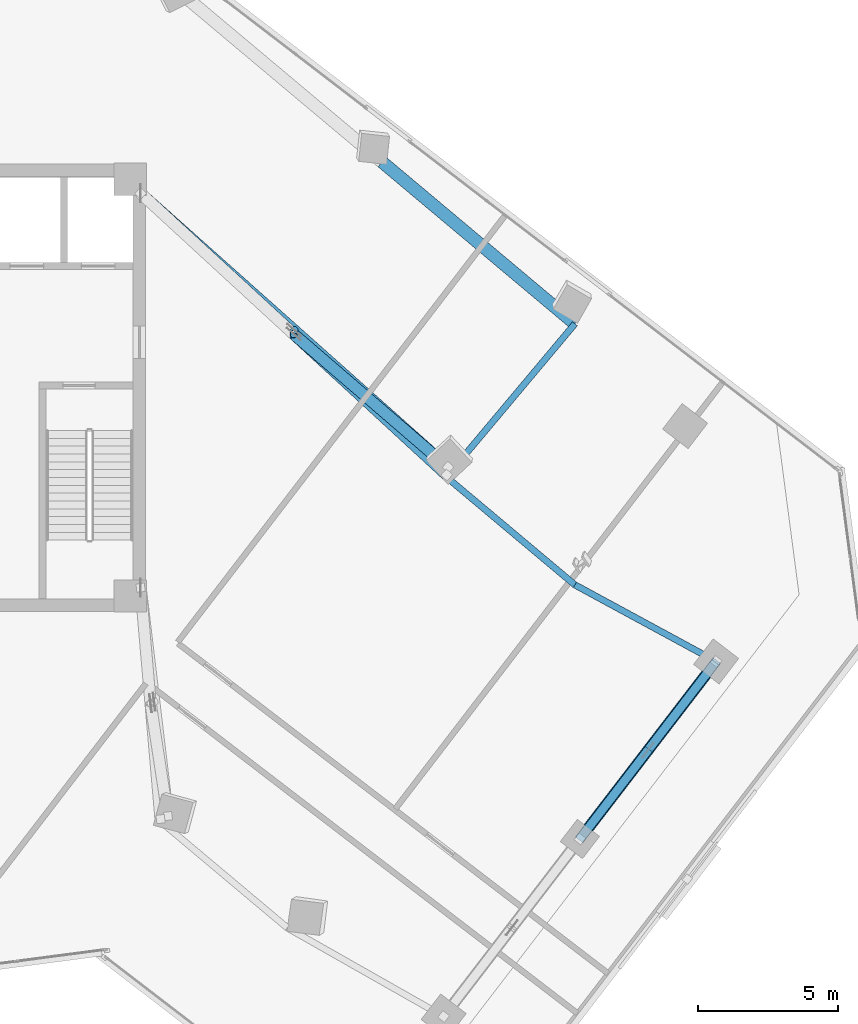
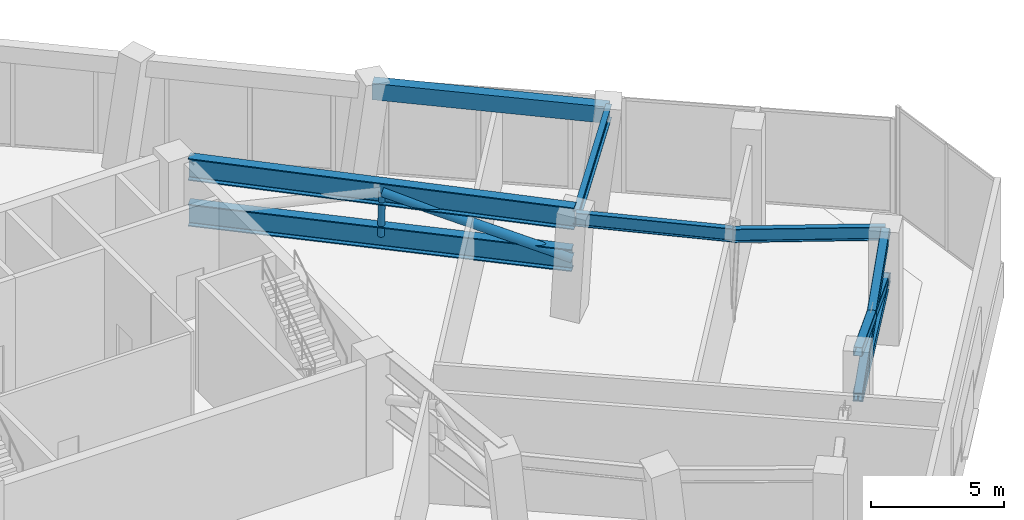
# One storey, part 8 of 22: 8 members, 4 beams.
"""IFC4 building model written with IfcOpenShell, lengths in metres."""

import ifcopenshell
import ifcopenshell.guid

model = None  # the IFC model being written
_history = None  # IfcOwnerHistory: only IFC2X3 demands one
_inside = {}  # id of a spatial element -> (the spatial element, [elements in it])
_under = {}  # id of a project, library or spatial element -> (it, [spatial elements below it])
_declared = {}  # id of a project -> (the project, [libraries it declares])
_typed = {}  # id of a type object -> (the type object, [elements of that type])
_made_of = {}  # id of a material, layer set ... -> (it, [elements and type objects made of it])


def new_model(schema):
    """Start an empty IFC model of exactly this schema.

    Asked for "IFC4X3", IfcOpenShell would pick the latest addendum, in which some entities
    have other attributes; the version numbers below select the first issue.
    IFC2X3 requires an IfcOwnerHistory on every rooted entity: one is made here for all.
    """
    global model, _history
    if schema == "IFC4X3":
        model = ifcopenshell.file(schema_version=(4, 3, 0, 0))
    else:
        model = ifcopenshell.file(schema=schema)
    _inside.clear()
    _under.clear()
    _declared.clear()
    _typed.clear()
    _made_of.clear()
    _history = None
    if model.schema == "IFC2X3":
        org = make("IfcOrganization", Name="unknown")
        user = make(
            "IfcPersonAndOrganization",
            ThePerson=make("IfcPerson", FamilyName="unknown"),
            TheOrganization=org,
        )
        app = make(
            "IfcApplication",
            ApplicationDeveloper=org,
            Version="unknown",
            ApplicationFullName="unknown",
            ApplicationIdentifier="unknown",
        )
        _history = make(
            "IfcOwnerHistory",
            OwningUser=user,
            OwningApplication=app,
            ChangeAction="ADDED",
            CreationDate=0,
        )
    return model


def make(cls, **values):
    """One entity of the class cls with the attributes given. An attribute that is None is left unset."""
    return model.create_entity(
        cls, **{name: value for name, value in values.items() if value is not None}
    )


def rooted(cls, **values):
    """An entity with a GlobalId (a new one), such as an element, a storey or a relation."""
    return make(cls, GlobalId=ifcopenshell.guid.new(), OwnerHistory=_history, **values)


def si_unit(unit_type, name, prefix=None):
    """IfcSIUnit, for example si_unit("LENGTHUNIT", "METRE", prefix="MILLI")."""
    return make("IfcSIUnit", UnitType=unit_type, Prefix=prefix, Name=name)


def assignment(units):
    """IfcUnitAssignment: the units of a project."""
    return None if units is None else make("IfcUnitAssignment", Units=units)


def point(xyz):
    """IfcCartesianPoint."""
    return None if xyz is None else make("IfcCartesianPoint", Coordinates=xyz)


def direction(xyz):
    """IfcDirection."""
    return None if xyz is None else make("IfcDirection", DirectionRatios=xyz)


def frame(location, z_axis=None, x_axis=None):
    """IfcAxis2Placement3D, a coordinate frame: its origin and axes. An axis left out is left unset."""
    return make(
        "IfcAxis2Placement3D",
        Location=point(location),
        Axis=direction(z_axis),
        RefDirection=direction(x_axis),
    )


def frame_2d(location, x_axis=None):
    """IfcAxis2Placement2D, a coordinate frame in the plane: its origin and x axis."""
    return make(
        "IfcAxis2Placement2D", Location=point(location), RefDirection=direction(x_axis)
    )


def origin():
    """The frame at (0, 0, 0) with its axes left unset."""
    return frame((0.0, 0.0, 0.0))


def origin_2d():
    """The frame at (0, 0) in the plane with its x axis left unset."""
    return frame_2d((0.0, 0.0))


def place(relative_to, where):
    """IfcLocalPlacement: puts the frame where relative to a parent placement (None: the world)."""
    return make(
        "IfcLocalPlacement", PlacementRelTo=relative_to, RelativePlacement=where
    )


def context(
    kind, dimensions, precision=None, world=None, true_north=None, identifier=None
):
    """IfcGeometricRepresentationContext, for example the 3D "Model" context."""
    return make(
        "IfcGeometricRepresentationContext",
        ContextIdentifier=identifier,
        ContextType=kind,
        CoordinateSpaceDimension=dimensions,
        Precision=precision,
        WorldCoordinateSystem=world,
        TrueNorth=true_north,
    )


def subcontext(parent, identifier, kind, view, scale=None):
    """IfcGeometricRepresentationSubContext, for example "Body" below "Model"."""
    return make(
        "IfcGeometricRepresentationSubContext",
        ContextIdentifier=identifier,
        ContextType=kind,
        ParentContext=parent,
        TargetScale=scale,
        TargetView=view,
    )


def project(units=None, contexts=None):
    """IfcProject with its units and contexts."""
    return rooted(
        "IfcProject",
        Name="project",
        RepresentationContexts=contexts,
        UnitsInContext=assignment(units),
    )


def spatial(cls, under=None, at=None, **own):
    """A site, building, storey or space (cls), placed at a placement, below another one or the project."""
    s = rooted(cls, ObjectPlacement=at, **own)
    if under is not None:
        _under.setdefault(under.id(), (under, []))[1].append(s)
    return s


def profile(cls, at=None, kind="AREA", **sizes):
    """A parametric profile (cls). Its sizes go by their IFC names, for example OverallWidth=200.0."""
    return make(cls, ProfileType=kind, Position=at, **sizes)


def rectangle(**sizes):
    """IfcRectangleProfileDef."""
    return profile("IfcRectangleProfileDef", **sizes)


def hollow_rectangle(**sizes):
    """IfcRectangleHollowProfileDef."""
    return profile("IfcRectangleHollowProfileDef", **sizes)


def hollow_circle(**sizes):
    """IfcCircleHollowProfileDef."""
    return profile("IfcCircleHollowProfileDef", **sizes)


def i_section(**sizes):
    """IfcIShapeProfileDef."""
    return profile("IfcIShapeProfileDef", **sizes)


def extrude(swept, where, along, depth):
    """IfcExtrudedAreaSolid: the profile swept, set in the frame where, extruded along a direction by depth."""
    return make(
        "IfcExtrudedAreaSolid",
        SweptArea=swept,
        Position=where,
        ExtrudedDirection=direction(along),
        Depth=depth,
    )


def shape(context_of_items, identifier, shape_type, items):
    """IfcShapeRepresentation: the items that make up one representation, for example the "Body"."""
    return make(
        "IfcShapeRepresentation",
        ContextOfItems=context_of_items,
        RepresentationIdentifier=identifier,
        RepresentationType=shape_type,
        Items=items,
    )


def source(mapping_origin, context_of_items, identifier, shape_type, items):
    """IfcRepresentationMap: a shape defined once, which mapped items show again and again."""
    return make(
        "IfcRepresentationMap",
        MappingOrigin=mapping_origin,
        MappedRepresentation=shape(context_of_items, identifier, shape_type, items),
    )


def transform(
    local_origin,
    x_axis=None,
    y_axis=None,
    z_axis=None,
    scale=None,
    scale2=None,
    scale3=None,
    uniform=True,
):
    """IfcCartesianTransformationOperator3D, or its non-uniform kind. x_axis, y_axis, z_axis: its Axis1, 2, 3."""
    if uniform:
        return make(
            "IfcCartesianTransformationOperator3D",
            Axis1=direction(x_axis),
            Axis2=direction(y_axis),
            LocalOrigin=point(local_origin),
            Scale=scale,
            Axis3=direction(z_axis),
        )
    return make(
        "IfcCartesianTransformationOperator3DnonUniform",
        Axis1=direction(x_axis),
        Axis2=direction(y_axis),
        LocalOrigin=point(local_origin),
        Scale=scale,
        Axis3=direction(z_axis),
        Scale2=scale2,
        Scale3=scale3,
    )


def mapped(mapping_source, mapping_target):
    """IfcMappedItem: shows the shape of a source again, moved by a transform."""
    return make(
        "IfcMappedItem", MappingSource=mapping_source, MappingTarget=mapping_target
    )


def material(Name=None, Category=None):
    """IfcMaterial."""
    return make("IfcMaterial", Name=Name, Category=Category)


def material_profile(
    of_material, cross_section, Name=None, Category=None, Priority=None
):
    """IfcMaterialProfile: a cross section and its material."""
    return make(
        "IfcMaterialProfile",
        Name=Name,
        Material=of_material,
        Profile=cross_section,
        Priority=Priority,
        Category=Category,
    )


def profile_set(profiles, Name=None, composite=None):
    """IfcMaterialProfileSet."""
    return make(
        "IfcMaterialProfileSet",
        Name=Name,
        MaterialProfiles=profiles,
        CompositeProfile=composite,
    )


def made_of(thing, what):
    """Note that an element or type object is made of a material, layer set ...; save() writes the relation."""
    if what is not None:
        _made_of.setdefault(what.id(), (what, []))[1].append(thing)
    return thing


def type_object(cls, material=None, **own):
    """A type object (cls), such as IfcWallType, which elements share."""
    return made_of(rooted(cls, **own), material)


def element(
    cls,
    number,
    at=None,
    inside=None,
    cuts=None,
    type_object=None,
    material=None,
    context=None,
    identifier="Body",
    shape_type=None,
    held_by="IfcProductDefinitionShape",
    body=None,
    shapes=None,
    **own,
):
    """One element of the class cls, such as IfcWall. Its Tag is "e" and its number.

    at: its placement. inside: the storey or other place that contains it. cuts: it is an
    opening in that element (IfcRelVoidsElement). A single representation is given by context,
    identifier, shape_type and body (its items); several are given by shapes. held_by: the class
    of the entity that holds the representations. save() writes the other relations.
    """
    e = rooted(cls, Tag="e%d" % number, ObjectPlacement=at, **own)
    if body is not None:
        shapes = [shape(context, identifier, shape_type, body)]
    if shapes is not None:
        e.Representation = make(held_by, Representations=shapes)
    if inside is not None:
        _inside.setdefault(inside.id(), (inside, []))[1].append(e)
    if cuts is not None:
        rooted(
            "IfcRelVoidsElement", RelatingBuildingElement=cuts, RelatedOpeningElement=e
        )
    if type_object is not None:
        _typed.setdefault(type_object.id(), (type_object, []))[1].append(e)
    return made_of(e, material)


def aggregate(whole, parts):
    """IfcRelAggregates: a whole, such as a stair, and the parts it consists of."""
    return rooted("IfcRelAggregates", RelatingObject=whole, RelatedObjects=parts)


def save(model, path):
    """Write the relations noted so far, then the file.

    IfcRelAggregates (storeys below a building ...), IfcRelContainedInSpatialStructure (elements
    in a storey), IfcRelDefinesByType, IfcRelAssociatesMaterial and IfcRelDeclares: one each for
    every whole, place, type object, material and project.
    """
    for whole, parts in _under.values():
        aggregate(whole, parts)
    for where, things in _inside.values():
        rooted(
            "IfcRelContainedInSpatialStructure",
            RelatedElements=things,
            RelatingStructure=where,
        )
    for kind, things in _typed.values():
        rooted("IfcRelDefinesByType", RelatedObjects=things, RelatingType=kind)
    for what, things in _made_of.values():
        rooted("IfcRelAssociatesMaterial", RelatedObjects=things, RelatingMaterial=what)
    for by, libraries in _declared.values():
        rooted("IfcRelDeclares", RelatingContext=by, RelatedDefinitions=libraries)
    model.write(path)


model = new_model("IFC4")

# Units and contexts
model_context = context("Model", 3, precision=1e-05, world=origin(), true_north=direction((0.0, 1.0)))
body_context = subcontext(model_context, "Body", "Model", "MODEL_VIEW")
ifc_project = project(units=[si_unit("LENGTHUNIT", "METRE"), si_unit("AREAUNIT", "SQUARE_METRE"), si_unit("VOLUMEUNIT", "CUBIC_METRE"), si_unit("PLANEANGLEUNIT", "RADIAN"), si_unit("MASSUNIT", "GRAM", prefix="KILO")], contexts=[model_context])

# Site, building, storey
site_placement = place(None, origin())
site = spatial("IfcSite", under=ifc_project, at=site_placement, CompositionType="ELEMENT")
building_placement = place(site_placement, origin())
building = spatial("IfcBuilding", under=site, at=building_placement, Name="Torre Montelarca", CompositionType="ELEMENT")
storey_placement = place(building_placement, frame((0.0, 0.0, 209.800048828125)))
storey = spatial("IfcBuildingStorey", under=building, at=storey_placement, Name="L47", CompositionType="ELEMENT", Elevation=209.800048828125)

# Beams
ifc_material_1 = material(Name="Steel ASTM A992 Grade 50", Category="steel")
ifc_material_profile_1 = material_profile(ifc_material_1, i_section(OverallWidth=0.22998046875, OverallDepth=0.616943359375, WebThickness=0.01318359375, FlangeThickness=0.022216796875, FilletRadius=0.014892578125, at=origin_2d()), Name="W610X140", Category="steel")
ifc_profile_set_1 = profile_set([ifc_material_profile_1], Name="Steel ASTM A992 Grade 50")
beam_type_1 = type_object("IfcBeamType", Name="BM-G-W610", PredefinedType="BEAM", material=ifc_profile_set_1)
shared_shape_1 = source(origin(), body_context, "Body", "SweptSolid", [
    extrude(i_section(OverallWidth=0.22998046875, OverallDepth=0.616943359375, WebThickness=0.01318359375, FlangeThickness=0.022216796875, FilletRadius=0.014892578125, at=origin_2d()), origin(), (0.0, 0.0, 1.0), 6.0),
])
beam_1_placement = place(storey_placement, frame((37.75, 28.807861328125, 4.81201171875), z_axis=(0.766042232247, -0.642790244492, 0.0), x_axis=(0.642790244492, 0.766042232247, 0.0)))
element("IfcBeam", 1, at=beam_1_placement, inside=storey, type_object=beam_type_1, Name="L47 Grid Girder X 36.0-42.0 at Y=40.0", PredefinedType="BEAM", context=body_context, shape_type="MappedRepresentation", body=[
    mapped(shared_shape_1, transform((0.0, 0.0, 0.0), scale=1.0)),
])
shared_shape_2 = source(origin(), body_context, "Body", "SweptSolid", [
    extrude(i_section(OverallWidth=0.22998046875, OverallDepth=0.616943359375, WebThickness=0.01318359375, FlangeThickness=0.022216796875, FilletRadius=0.014892578125, at=origin_2d()), origin(), (0.0, 0.0, 1.0), 7.150146484375),
])
beam_2_placement = place(storey_placement, frame((37.75, 28.807861328125, 4.81201171875), z_axis=(0.642783597714, 0.766047809546, 0.0), x_axis=(-0.766047809546, 0.642783597714, 0.0)))
element("IfcBeam", 2, at=beam_2_placement, inside=storey, type_object=beam_type_1, Name="L47 Grid Girder Y 40.0-47.1 at X=36.0", PredefinedType="BEAM", context=body_context, shape_type="MappedRepresentation", body=[
    mapped(shared_shape_2, transform((0.0, 0.0, 0.0), scale=1.0)),
])
ifc_material_2 = material(Name="Concrete C55/67", Category="concrete")
ifc_material_profile_2 = material_profile(ifc_material_2, rectangle(XDim=0.449951171875, YDim=0.75, at=origin_2d()), Name="RCB450X750", Category="concrete")
ifc_profile_set_2 = profile_set([ifc_material_profile_2], Name="Concrete C55/67")
beam_type_2 = type_object("IfcBeamType", Name="BM-SP-RC750-EXT", PredefinedType="SPANDREL", material=ifc_profile_set_2)
shared_shape_3 = source(origin(), body_context, "Body", "SweptSolid", [
    extrude(rectangle(XDim=0.449951171875, YDim=0.75, at=origin_2d()), origin(), (0.0, 0.0, 1.0), 9.000244140625),
])
beam_3_placement = place(storey_placement, frame((35.451416015625, 40.0703125, 4.744873046875), z_axis=(0.766046761698, -0.642784846501, 0.0), x_axis=(0.642784846501, 0.766046761698, 0.0)))
element("IfcBeam", 3, at=beam_3_placement, inside=storey, type_object=beam_type_2, Name="L47 Grid Girder X 27.0-36.0 at Y=47.1", PredefinedType="SPANDREL", context=body_context, shape_type="MappedRepresentation", body=[
    mapped(shared_shape_3, transform((0.0, 0.0, 0.0), scale=1.0)),
])
ifc_material_profile_3 = material_profile(ifc_material_1, i_section(OverallWidth=0.22998046875, OverallDepth=0.616943359375, WebThickness=0.01318359375, FlangeThickness=0.022216796875, FilletRadius=0.014892578125, at=origin_2d()), Name="W610X140", Category="steel")
ifc_profile_set_3 = profile_set([ifc_material_profile_3], Name="Steel ASTM A992 Grade 50")
beam_type_3 = type_object("IfcBeamType", Name="BM-G-W610-EXT", PredefinedType="BEAM", material=ifc_profile_set_3)
shared_shape_4 = source(origin(), body_context, "Body", "SweptSolid", [
    extrude(i_section(OverallWidth=0.22998046875, OverallDepth=0.616943359375, WebThickness=0.01318359375, FlangeThickness=0.022216796875, FilletRadius=0.014892578125, at=origin_2d()), origin(), (0.0, 0.0, 1.0), 5.741943359375),
])
beam_4_placement = place(storey_placement, frame((42.34619140625, 24.951171875, 4.7919921875), z_axis=(0.879122748255, -0.476595419094, 0.0), x_axis=(0.476595419094, 0.879122748255, 0.0)))
element("IfcBeam", 4, at=beam_4_placement, inside=storey, type_object=beam_type_3, Name="L47 Setback Terrace Girder 42-48 Y=40m", PredefinedType="BEAM", context=body_context, shape_type="MappedRepresentation", body=[
    mapped(shared_shape_4, transform((0.0, 0.0, 0.0), scale=1.0)),
])

# Members
ifc_material_profile_4 = material_profile(ifc_material_1, i_section(OverallWidth=0.39501953125, OverallDepth=0.3798828125, WebThickness=0.018798828125, FlangeThickness=0.0302734375, FilletRadius=0.014892578125, at=origin_2d()), Name="W360X237", Category="steel")
ifc_profile_set_4 = profile_set([ifc_material_profile_4], Name="Steel ASTM A992 Grade 50")
member_type_1 = type_object("IfcMemberType", Name="MB-CH-W360X237", PredefinedType="CHORD", material=ifc_profile_set_4)
shared_shape_5 = source(origin(), body_context, "Body", "SweptSolid", [
    extrude(i_section(OverallWidth=0.39501953125, OverallDepth=0.3798828125, WebThickness=0.018798828125, FlangeThickness=0.0302734375, FilletRadius=0.014892578125, at=origin_2d()), origin(), (0.0, 0.0, 1.0), 8.0),
])
member_1_placement = place(storey_placement, frame((42.52392578125, 15.867919921875, 2.75), z_axis=(0.608772331974, 0.793344974033, 0.0), x_axis=(-0.793344974033, 0.608772331974, 0.0)))
element("IfcMember", 5, at=member_1_placement, inside=storey, type_object=member_type_1, Name="L47 Perimeter Belt-Truss Bottom Chord 3", PredefinedType="CHORD", context=body_context, shape_type="MappedRepresentation", body=[
    mapped(shared_shape_5, transform((0.0, 0.0, 0.0), scale=1.0)),
])
ifc_material_3 = material(Name="Steel ASTM A500 Grade C", Category="steel")
ifc_material_profile_5 = material_profile(ifc_material_3, hollow_circle(Radius=0.136474609375, WallThickness=0.0126953125, at=origin_2d()), Name="HSS273.1X12.7", Category="steel")
ifc_profile_set_5 = profile_set([ifc_material_profile_5], Name="Steel ASTM A500 Grade C")
member_type_2 = type_object("IfcMemberType", Name="MB-ST-CHS273", PredefinedType="STRUT", material=ifc_profile_set_5)
shared_shape_6 = source(origin(), body_context, "Body", "SweptSolid", [
    extrude(hollow_circle(Radius=0.136474609375, WallThickness=0.0126953125, at=origin_2d()), origin(), (0.0, 0.0, 1.0), 2.1044921875),
])
member_2_placement = place(storey_placement, frame((32.315185546875, 34.0537109375, 2.75), z_axis=(-0.011368611625, -0.065775538686, 0.997769679425), x_axis=(0.985389793052, -0.170314285219, 0.0)))
element("IfcMember", 6, at=member_2_placement, inside=storey, type_object=member_type_2, Name="L47 Outrigger King Strut 2", PredefinedType="STRUT", context=body_context, shape_type="MappedRepresentation", body=[
    mapped(shared_shape_6, transform((0.0, 0.0, 0.0), scale=1.0)),
])
ifc_material_profile_6 = material_profile(ifc_material_1, i_section(OverallWidth=0.404052734375, OverallDepth=1.011962890625, WebThickness=0.025390625, FlangeThickness=0.044921875, FilletRadius=0.02490234375, at=origin_2d()), Name="W1000X483", Category="steel")
ifc_profile_set_6 = profile_set([ifc_material_profile_6], Name="Steel ASTM A992 Grade 50")
member_type_3 = type_object("IfcMemberType", Name="MB-CH-W1000", PredefinedType="CHORD", material=ifc_profile_set_6)
shared_shape_7 = source(origin(), body_context, "Body", "SweptSolid", [
    extrude(i_section(OverallWidth=0.404052734375, OverallDepth=1.011962890625, WebThickness=0.025390625, FlangeThickness=0.044921875, FilletRadius=0.02490234375, at=origin_2d()), origin(), (0.0, 0.0, 1.0), 14.720458984375),
])
member_3_placement = place(storey_placement, frame((26.820068359375, 38.949951171875, 2.75), z_axis=(0.746626442913, -0.665243530403, 0.0), x_axis=(0.665243530403, 0.746626442913, 0.0)))
element("IfcMember", 7, at=member_3_placement, inside=storey, type_object=member_type_3, Name="L47 Outrigger Bottom Chord 2", PredefinedType="CHORD", context=body_context, shape_type="MappedRepresentation", body=[
    mapped(shared_shape_7, transform((0.0, 0.0, 0.0), scale=1.0)),
])
shared_shape_8 = source(origin(), body_context, "Body", "SweptSolid", [
    extrude(i_section(OverallWidth=0.404052734375, OverallDepth=1.011962890625, WebThickness=0.025390625, FlangeThickness=0.044921875, FilletRadius=0.02490234375, at=origin_2d()), origin(), (0.0, 0.0, 1.0), 14.87060546875),
])
member_4_placement = place(storey_placement, frame((26.820068359375, 38.949951171875, 4.849853515625), z_axis=(0.735844293173, -0.677150778044, 0.0), x_axis=(0.677150778044, 0.735844293173, 0.0)))
element("IfcMember", 8, at=member_4_placement, inside=storey, type_object=member_type_3, Name="L47 Outrigger Top Chord 2", PredefinedType="CHORD", context=body_context, shape_type="MappedRepresentation", body=[
    mapped(shared_shape_8, transform((0.0, 0.0, 0.0), scale=1.0)),
])
ifc_material_profile_7 = material_profile(ifc_material_3, hollow_circle(Radius=0.203125, WallThickness=0.015869140625, at=origin_2d()), Name="HSS406.4X15.9", Category="steel")
ifc_profile_set_7 = profile_set([ifc_material_profile_7], Name="Steel ASTM A500 Grade C")
member_type_4 = type_object("IfcMemberType", Name="MB-BR-CHS406", PredefinedType="BRACE", material=ifc_profile_set_7)
shared_shape_9 = source(origin(), body_context, "Body", "SweptSolid", [
    extrude(hollow_circle(Radius=0.203125, WallThickness=0.015869140625, at=origin_2d()), origin(), (0.0, 0.0, 1.0), 7.583740234375),
])
member_5_placement = place(storey_placement, frame((37.810791015625, 29.1572265625, 2.75), z_axis=(-0.727807444578, 0.627399119223, 0.276887465977), x_axis=(-0.652927030037, -0.757420816618, 0.0)))
element("IfcMember", 9, at=member_5_placement, inside=storey, type_object=member_type_4, Name="L47 Outrigger Truss Diagonal 2B", PredefinedType="BRACE", context=body_context, shape_type="MappedRepresentation", body=[
    mapped(shared_shape_9, transform((0.0, 0.0, 0.0), scale=1.0)),
])
ifc_material_profile_8 = material_profile(ifc_material_3, hollow_rectangle(XDim=0.355712890625, YDim=0.355712890625, WallThickness=0.015869140625, InnerFilletRadius=0.015869140625, OuterFilletRadius=0.03173828125, at=origin_2d()), Name="HSS356X356X15.9", Category="steel")
ifc_profile_set_8 = profile_set([ifc_material_profile_8], Name="Steel ASTM A500 Grade C")
member_type_5 = type_object("IfcMemberType", Name="MB-BR-HSS356-EXT", PredefinedType="BRACE", material=ifc_profile_set_8)
shared_shape_10 = source(origin(), body_context, "Body", "SweptSolid", [
    extrude(hollow_rectangle(XDim=0.355712890625, YDim=0.355712890625, WallThickness=0.015869140625, InnerFilletRadius=0.015869140625, OuterFilletRadius=0.03173828125, at=origin_2d()), origin(), (0.0, 0.0, 1.0), 8.27099609375),
])
member_6_placement = place(storey_placement, frame((42.52392578125, 15.867919921875, 2.75), z_axis=(0.588825618991, 0.767350651258, 0.253884557296), x_axis=(-0.793344974033, 0.608772331974, 0.0)))
element("IfcMember", 10, at=member_6_placement, inside=storey, type_object=member_type_5, Name="L47 Perimeter Belt-Truss Continuous X-Brace 3A", PredefinedType="BRACE", context=body_context, shape_type="MappedRepresentation", body=[
    mapped(shared_shape_10, transform((0.0, 0.0, 0.0), scale=1.0)),
])
shared_shape_11 = source(origin(), body_context, "Body", "SweptSolid", [
    extrude(hollow_rectangle(XDim=0.355712890625, YDim=0.355712890625, WallThickness=0.015869140625, InnerFilletRadius=0.015869140625, OuterFilletRadius=0.03173828125, at=origin_2d()), origin(), (0.0, 0.0, 1.0), 4.135498046875),
])
for number, where, z_axis, x_axis, name in (
    (11, (47.39404296875, 22.214599609375, 2.75), (-0.588821206024, -0.767344900331, 0.253912172359), (0.793344974033, -0.608772331974, 0.0), "L47 Perimeter Belt-Truss Split X-Brace Lower 3B1"),
    (12, (44.958984375, 19.041259765625, 3.800048828125), (-0.588830031544, -0.767356401646, 0.253856941612), (0.793344974033, -0.608772331974, 0.0), "L47 Perimeter Belt-Truss Split X-Brace Upper 3B2"),
):
    element("IfcMember", number, at=place(storey_placement, frame(where, z_axis=z_axis, x_axis=x_axis)), inside=storey, type_object=member_type_5, Name=name, PredefinedType="BRACE", context=body_context, shape_type="MappedRepresentation", body=[
        mapped(shared_shape_11, transform((0.0, 0.0, 0.0), scale=1.0)),
    ])

save(model, "model.ifc")
